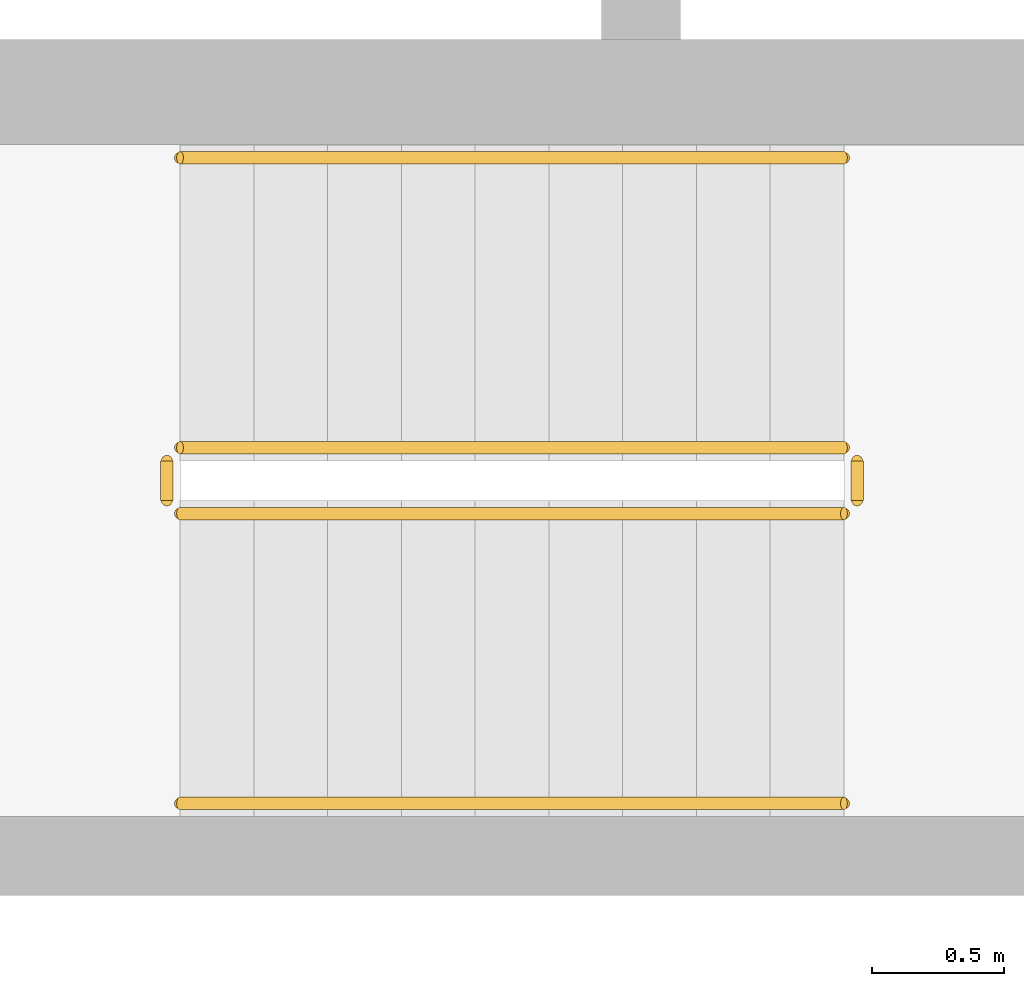
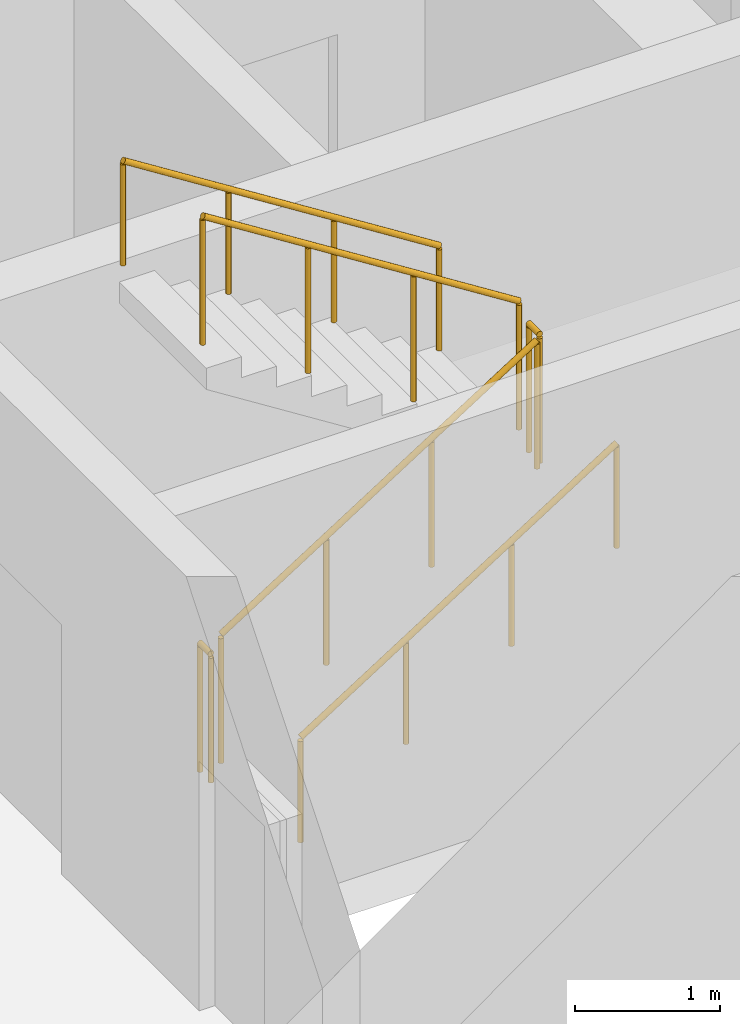
# One storey, part 13 of 15: 6 railings.
"""IFC4 building model written with IfcOpenShell, lengths in metres."""

from ifc_helpers import new_model, si_unit, direction, frame, origin, origin_2d, place, context, subcontext, project, spatial, circle, extrude, material, type_object, element, save


model = new_model("IFC4")

# Units and contexts
model_context = context("Model", 3, precision=1e-05, world=origin(), true_north=direction((0.0, 1.0)))
body_context = subcontext(model_context, "Body", "Model", "MODEL_VIEW")
ifc_project = project(units=[si_unit("LENGTHUNIT", "METRE"), si_unit("AREAUNIT", "SQUARE_METRE"), si_unit("VOLUMEUNIT", "CUBIC_METRE"), si_unit("PLANEANGLEUNIT", "RADIAN"), si_unit("MASSUNIT", "GRAM", prefix="KILO")], contexts=[model_context])

# Site, building, storey
site_placement = place(None, origin())
site = spatial("IfcSite", under=ifc_project, at=site_placement, CompositionType="ELEMENT")
building_placement = place(site_placement, origin())
building = spatial("IfcBuilding", under=site, at=building_placement, Name="Ostrand Prow Hotel Tower", CompositionType="ELEMENT")
storey_placement = place(building_placement, frame((0.0, 0.0, 238.550048828125)))
storey = spatial("IfcBuildingStorey", under=building, at=storey_placement, Name="L60", CompositionType="ELEMENT", Elevation=238.550048828125)

# Railings
ifc_material_1 = material(Name="Painted steel", Category="steel")
railing_type_1 = type_object("IfcRailingType", Name="Stair guard 1100", PredefinedType="GUARDRAIL", material=ifc_material_1)
railing_1_placement = place(storey_placement, frame((57.199951171875, -11.75, 0.177490234375)))
element("IfcRailing", 1, at=railing_1_placement, inside=storey, type_object=railing_type_1, Name="L60 ST2C stair guard 1", PredefinedType="GUARDRAIL", context=body_context, shape_type="SweptSolid", body=[
    extrude(circle(Radius=0.02392578125, at=origin_2d()), frame((0.0, 0.0, 1.076171875), z_axis=(0.84460694969, 0.0, 0.535386869969), x_axis=(0.0, 1.0, 0.0)), (0.0, 0.0, 1.0), 2.983642578125),
    extrude(circle(Radius=0.02099609375, at=origin_2d()), origin(), (0.0, 0.0, 1.0), 1.052001953125),
    extrude(circle(Radius=0.02099609375, at=origin_2d()), frame((0.840087890625, 0.0, 0.532470703125)), (0.0, 0.0, 1.0), 1.052001953125),
    extrude(circle(Radius=0.02099609375, at=origin_2d()), frame((1.679931640625, 0.0, 1.06494140625)), (0.0, 0.0, 1.0), 1.052001953125),
    extrude(circle(Radius=0.02099609375, at=origin_2d()), frame((2.52001953125, 0.0, 1.597412109375)), (0.0, 0.0, 1.0), 1.052001953125),
])
railing_2_placement = place(storey_placement, frame((59.77001953125, -11.699951171875, 1.77490234375)))
element("IfcRailing", 2, at=railing_2_placement, inside=storey, type_object=railing_type_1, Name="L60 ST2C stair guard 2", PredefinedType="GUARDRAIL", context=body_context, shape_type="SweptSolid", body=[
    extrude(circle(Radius=0.02392578125, at=origin_2d()), frame((0.0, 0.0, 1.076171875), z_axis=(0.0, 1.0, 0.0), x_axis=(-1.0, 0.0, 0.0)), (0.0, 0.0, 1.0), 0.14990234375),
    extrude(circle(Radius=0.02099609375, at=origin_2d()), origin(), (0.0, 0.0, 1.0), 1.052001953125),
    extrude(circle(Radius=0.02099609375, at=origin_2d()), frame((0.0, 0.14990234375, 0.0)), (0.0, 0.0, 1.0), 1.052001953125),
])
railing_3_placement = place(storey_placement, frame((59.719970703125, -11.5, 1.952392578125)))
element("IfcRailing", 3, at=railing_3_placement, inside=storey, type_object=railing_type_1, Name="L60 ST2C stair guard 3", PredefinedType="GUARDRAIL", context=body_context, shape_type="SweptSolid", body=[
    extrude(circle(Radius=0.02392578125, at=origin_2d()), frame((0.0, 0.0, 1.076171875), z_axis=(-0.84456994832, 0.0, 0.535445237532), x_axis=(0.0, -1.0, 0.0)), (0.0, 0.0, 1.0), 2.98388671875),
    extrude(circle(Radius=0.02099609375, at=origin_2d()), origin(), (0.0, 0.0, 1.0), 1.052001953125),
    extrude(circle(Radius=0.02099609375, at=origin_2d()), frame((-0.840087890625, 0.0, 0.532470703125)), (0.0, 0.0, 1.0), 1.052001953125),
    extrude(circle(Radius=0.02099609375, at=origin_2d()), frame((-1.679931640625, 0.0, 1.065185546875)), (0.0, 0.0, 1.0), 1.052001953125),
    extrude(circle(Radius=0.02099609375, at=origin_2d()), frame((-2.52001953125, 0.0, 1.59765625)), (0.0, 0.0, 1.0), 1.052001953125),
])
railing_4_placement = place(storey_placement, frame((57.14990234375, -11.699951171875, 0.0)))
element("IfcRailing", 4, at=railing_4_placement, inside=storey, type_object=railing_type_1, Name="L60 ST2C stair guard 4", PredefinedType="GUARDRAIL", context=body_context, shape_type="SweptSolid", body=[
    extrude(circle(Radius=0.02392578125, at=origin_2d()), frame((0.0, 0.0, 1.076171875), z_axis=(0.0, 1.0, 0.0), x_axis=(-1.0, 0.0, 0.0)), (0.0, 0.0, 1.0), 0.14990234375),
    extrude(circle(Radius=0.02099609375, at=origin_2d()), origin(), (0.0, 0.0, 1.0), 1.052001953125),
    extrude(circle(Radius=0.02099609375, at=origin_2d()), frame((0.0, 0.14990234375, 0.0)), (0.0, 0.0, 1.0), 1.052001953125),
])
ifc_material_2 = material(Name="Stainless steel", Category="steel")
railing_type_2 = type_object("IfcRailingType", Name="Stair handrail 900", PredefinedType="HANDRAIL", material=ifc_material_2)
railing_5_placement = place(storey_placement, frame((57.199951171875, -12.85009765625, 0.177490234375)))
element("IfcRailing", 5, at=railing_5_placement, inside=storey, type_object=railing_type_2, Name="L60 ST2C stair handrail 1", PredefinedType="HANDRAIL", context=body_context, shape_type="SweptSolid", body=[
    extrude(circle(Radius=0.02392578125, at=origin_2d()), frame((0.0, 0.0, 0.8759765625), z_axis=(0.84460694969, 0.0, 0.535386869969), x_axis=(0.0, 1.0, 0.0)), (0.0, 0.0, 1.0), 2.983642578125),
    extrude(circle(Radius=0.02099609375, at=origin_2d()), origin(), (0.0, 0.0, 1.0), 0.851806640625),
    extrude(circle(Radius=0.02099609375, at=origin_2d()), frame((0.840087890625, 0.0, 0.532470703125)), (0.0, 0.0, 1.0), 0.851806640625),
    extrude(circle(Radius=0.02099609375, at=origin_2d()), frame((1.679931640625, 0.0, 1.06494140625)), (0.0, 0.0, 1.0), 0.851806640625),
    extrude(circle(Radius=0.02099609375, at=origin_2d()), frame((2.52001953125, 0.0, 1.597412109375)), (0.0, 0.0, 1.0), 0.851806640625),
])
railing_6_placement = place(storey_placement, frame((59.719970703125, -10.39990234375, 1.952392578125)))
element("IfcRailing", 6, at=railing_6_placement, inside=storey, type_object=railing_type_2, Name="L60 ST2C stair handrail 2", PredefinedType="HANDRAIL", context=body_context, shape_type="SweptSolid", body=[
    extrude(circle(Radius=0.02392578125, at=origin_2d()), frame((0.0, 0.0, 0.8759765625), z_axis=(-0.84456994832, 0.0, 0.535445237532), x_axis=(0.0, -1.0, 0.0)), (0.0, 0.0, 1.0), 2.98388671875),
    extrude(circle(Radius=0.02099609375, at=origin_2d()), origin(), (0.0, 0.0, 1.0), 0.851806640625),
    extrude(circle(Radius=0.02099609375, at=origin_2d()), frame((-0.840087890625, 0.0, 0.532470703125)), (0.0, 0.0, 1.0), 0.851806640625),
    extrude(circle(Radius=0.02099609375, at=origin_2d()), frame((-1.679931640625, 0.0, 1.065185546875)), (0.0, 0.0, 1.0), 0.851806640625),
    extrude(circle(Radius=0.02099609375, at=origin_2d()), frame((-2.52001953125, 0.0, 1.59765625)), (0.0, 0.0, 1.0), 0.851806640625),
])

save(model, "model.ifc")
